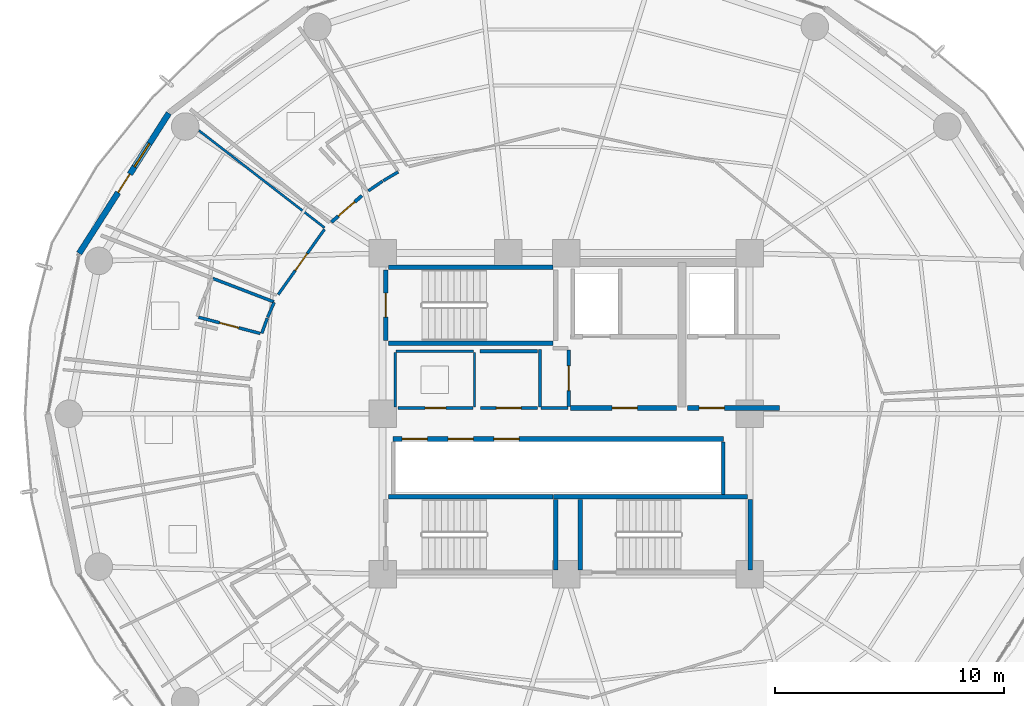
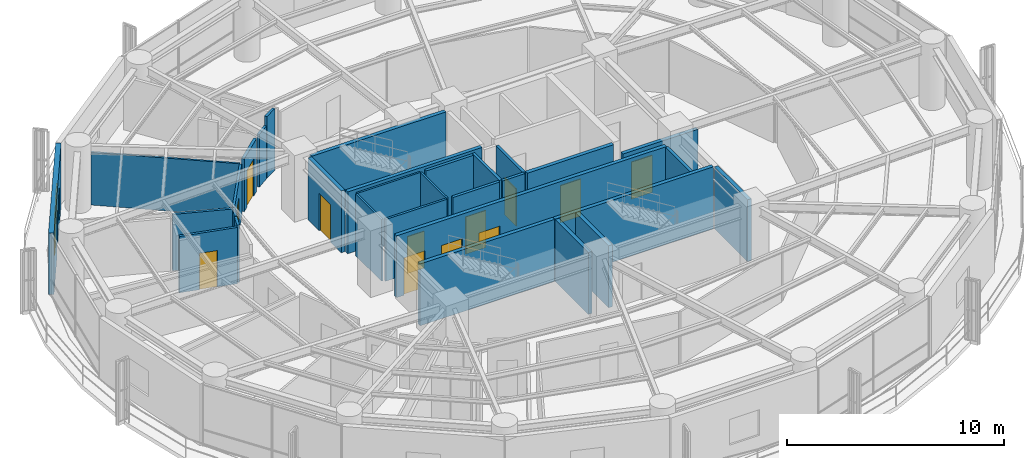
# One storey, part 22 of 28: 31 walls, 13 doors, 1 window, 14 openings.
"""IFC4 building model written with IfcOpenShell, lengths in metres."""

from ifc_helpers import new_model, si_unit, direction, frame, frame_2d, origin, place, context, subcontext, project, spatial, rectangle, extrude, material, layer, layer_set, type_object, element, fill, save


model = new_model("IFC4")

# Units and contexts
model_context = context("Model", 3, precision=1e-05, world=origin(), true_north=direction((0.0, 1.0)))
body_context = subcontext(model_context, "Body", "Model", "MODEL_VIEW")
ifc_project = project(units=[si_unit("LENGTHUNIT", "METRE"), si_unit("AREAUNIT", "SQUARE_METRE"), si_unit("VOLUMEUNIT", "CUBIC_METRE"), si_unit("PLANEANGLEUNIT", "RADIAN"), si_unit("MASSUNIT", "GRAM", prefix="KILO")], contexts=[model_context])

# Site, building, storey
site_placement = place(None, origin())
site = spatial("IfcSite", under=ifc_project, at=site_placement, CompositionType="ELEMENT")
building_placement = place(site_placement, origin())
building = spatial("IfcBuilding", under=site, at=building_placement, Name="Kelanora Arch Commons", CompositionType="ELEMENT")
storey_placement = place(building_placement, frame((0.0, 0.0, 161.85009765625)))
storey = spatial("IfcBuildingStorey", under=building, at=storey_placement, Name="L41", CompositionType="ELEMENT", Elevation=161.85009765625)

# Wall
ifc_material_1 = material(Name="Autoclaved aerated concrete blockwork with fire plaster", Category="masonry")
ifc_layer_1 = layer(ifc_material_1, 0.14990234375)
ifc_layer_set_1 = layer_set([ifc_layer_1], Name="Autoclaved aerated concrete blockwork with fire plaster")
wall_type_1 = type_object("IfcWallType", Name="W-COMP-150", PredefinedType="PARTITIONING", material=ifc_layer_set_1)
wall_1_placement = place(storey_placement, frame((80.840087890625, 54.47998046875, 0.0), z_axis=(0.0, 0.0, 1.0), x_axis=(0.0, 1.0, 0.0)))
element("IfcWall", 1, at=wall_1_placement, inside=storey, type_object=wall_type_1, Name="South Lift Bank East Wall L41", PredefinedType="PARTITIONING", context=body_context, shape_type="SweptSolid", body=[
    extrude(rectangle(XDim=2.2900390625, YDim=0.14990234375, at=frame_2d((1.14501953125, 0.0))), origin(), (0.0, 0.0, 1.0), 3.47998046875),
])

# Wall, opening, door
wall_2_placement = place(storey_placement, frame((74.1201171875, 58.31005859375, 0.0), z_axis=(0.0, 0.0, 1.0), x_axis=(0.0, 1.0, 0.0)))
wall_2 = element("IfcWall", 2, at=wall_2_placement, inside=storey, type_object=wall_type_1, Name="Core Linen Supply Store L41 Entry Partition", PredefinedType="PARTITIONING", context=body_context, shape_type="SweptSolid", body=[
    extrude(rectangle(XDim=2.47998046875, YDim=0.14990234375, at=frame_2d((1.239990234375, 0.0))), origin(), (0.0, 0.0, 1.0), 3.47998046875),
])
opening_1_placement = place(wall_2_placement, frame((0.699951171875, 0.0, 0.0)))
opening_1 = element("IfcOpeningElement", 3, at=opening_1_placement, cuts=wall_2, Name="Opening D-PLT1", PredefinedType="OPENING", context=body_context, shape_type="SweptSolid", body=[
    extrude(rectangle(XDim=1.080078125, YDim=2.10009765625, at=frame_2d((0.5400390625, 1.050048828125))), frame((0.0, 0.0849609375, 0.0), z_axis=(0.0, -1.0, 0.0), x_axis=(1.0, 0.0, 0.0)), (0.0, 0.0, 1.0), 0.169921875),
])
ifc_material_2 = material(Name="Galvanised steel plant and riser fire door", Category="steel")
door_type_1 = type_object("IfcDoorType", Name="D-PLT-110", OperationType="NOTDEFINED", PredefinedType="DOOR", material=ifc_material_2)
door_1_placement = place(opening_1_placement, origin())
door_1 = element("IfcDoor", 4, at=door_1_placement, inside=storey, type_object=door_type_1, Name="Core Linen Supply Store L41 Door", OperationType="SINGLE_SWING_LEFT", OverallHeight=2.10009765625, OverallWidth=1.080078125, PredefinedType="DOOR", context=body_context, shape_type="SweptSolid", body=[
    extrude(rectangle(XDim=1.080078125, YDim=2.10009765625, at=frame_2d((0.5400390625, 1.050048828125))), frame((0.0, 0.02490234375, 0.0), z_axis=(0.0, -1.0, 0.0), x_axis=(1.0, 0.0, 0.0)), (0.0, 0.0, 1.0), 0.050048828125),
])
fill(opening_1, door_1)

wall_3_placement = place(storey_placement, frame((70.260009765625, 58.25, 0.0), z_axis=(0.0, 0.0, 1.0), x_axis=(1.0, 0.0, 0.0)))
wall_3 = element("IfcWall", 5, at=wall_3_placement, inside=storey, type_object=wall_type_1, Name="Reclaimed Core Linen Store L41 Entry Partition", PredefinedType="PARTITIONING", context=body_context, shape_type="SweptSolid", body=[
    extrude(rectangle(XDim=2.47998046875, YDim=0.14990234375, at=frame_2d((1.239990234375, 0.0))), origin(), (0.0, 0.0, 1.0), 3.47998046875),
])
opening_2_placement = place(wall_3_placement, frame((0.699951171875, 0.0, 0.0)))
opening_2 = element("IfcOpeningElement", 6, at=opening_2_placement, cuts=wall_3, Name="Opening D-PLT1", PredefinedType="OPENING", context=body_context, shape_type="SweptSolid", body=[
    extrude(rectangle(XDim=1.080078125, YDim=2.10009765625, at=frame_2d((0.5400390625, 1.050048828125))), frame((0.0, 0.0849609375, 0.0), z_axis=(0.0, -1.0, 0.0), x_axis=(1.0, 0.0, 0.0)), (0.0, 0.0, 1.0), 0.169921875),
])
door_2_placement = place(opening_2_placement, origin())
door_2 = element("IfcDoor", 7, at=door_2_placement, inside=storey, type_object=door_type_1, Name="Reclaimed Core Linen Store L41 Door", OperationType="SINGLE_SWING_LEFT", OverallHeight=2.10009765625, OverallWidth=1.080078125, PredefinedType="DOOR", context=body_context, shape_type="SweptSolid", body=[
    extrude(rectangle(XDim=1.080078125, YDim=2.10009765625, at=frame_2d((0.5400390625, 1.050048828125))), frame((0.0, 0.02490234375, 0.0), z_axis=(0.0, -1.0, 0.0), x_axis=(1.0, 0.0, 0.0)), (0.0, 0.0, 1.0), 0.050048828125),
])
fill(opening_2, door_2)

wall_4_placement = place(storey_placement, frame((65.094482421875, 67.504638671875, 0.0), z_axis=(0.0, 0.0, 1.0), x_axis=(-0.756110527693, -0.654443939472, 0.0)))
wall_4 = element("IfcWall", 8, at=wall_4_placement, inside=storey, type_object=wall_type_1, Name="Cluster Bedroom L41-01 Entry Partition", PredefinedType="PARTITIONING", context=body_context, shape_type="SweptSolid", body=[
    extrude(rectangle(XDim=1.7578125, YDim=0.14990234375, at=frame_2d((0.87890625, 0.0))), origin(), (0.0, 0.0, 1.0), 2.974853515625),
])
opening_3_placement = place(wall_4_placement, frame((0.404052734375, 0.0, 0.0)))
opening_3 = element("IfcOpeningElement", 9, at=opening_3_placement, cuts=wall_4, Name="Opening D-CLU1", PredefinedType="OPENING", context=body_context, shape_type="SweptSolid", body=[
    extrude(rectangle(XDim=0.949951171875, YDim=2.080078125, at=frame_2d((0.47509765625, 1.0400390625))), frame((0.0, 0.0849609375, 0.0), z_axis=(0.0, -1.0, 0.0), x_axis=(1.0, 0.0, 0.0)), (0.0, 0.0, 1.0), 0.169921875),
])
ifc_material_3 = material(Name="Solid-core acoustic timber cluster entry fire door", Category="wood")
door_type_2 = type_object("IfcDoorType", Name="D-CLU-95", OperationType="NOTDEFINED", PredefinedType="DOOR", material=ifc_material_3)
door_3_placement = place(opening_3_placement, origin())
door_3 = element("IfcDoor", 10, at=door_3_placement, inside=storey, type_object=door_type_2, Name="Cluster Bedroom L41-01 Door", OperationType="SINGLE_SWING_LEFT", OverallHeight=2.080078125, OverallWidth=0.949951171875, PredefinedType="DOOR", context=body_context, shape_type="SweptSolid", body=[
    extrude(rectangle(XDim=0.949951171875, YDim=2.080078125, at=frame_2d((0.47509765625, 1.0400390625))), frame((0.0, 0.02490234375, 0.0), z_axis=(0.0, -1.0, 0.0), x_axis=(1.0, 0.0, 0.0)), (0.0, 0.0, 1.0), 0.050048828125),
])
fill(opening_3, door_3)

# Walls
wall_5_placement = place(storey_placement, frame((72.89990234375, 58.25, 0.0), z_axis=(0.0, 0.0, 1.0), x_axis=(1.0, 0.0, 0.0)))
element("IfcWall", 11, at=wall_5_placement, inside=storey, type_object=wall_type_1, Name="Core Linen Supply Store L41 Enclosure Partition 1", PredefinedType="PARTITIONING", context=body_context, shape_type="SweptSolid", body=[
    extrude(rectangle(XDim=1.18017578125, YDim=0.14990234375, at=frame_2d((0.590087890625, 0.0))), origin(), (0.0, 0.0, 1.0), 3.47998046875),
])
for number, where, z_axis, x_axis, name in (
    (12, (72.860107421875, 60.81005859375, 0.0), (0.0, 0.0, 1.0), (0.0, -1.0, 0.0), "Core Linen Supply Store L41 Enclosure Partition 4"),
    (13, (72.760009765625, 60.719970703125, 0.0), (0.0, 0.0, 1.0), (-1.0, 0.0, 0.0), "Reclaimed Core Linen Store L41 Enclosure Partition 3"),
):
    element("IfcWall", number, at=place(storey_placement, frame(where, z_axis=z_axis, x_axis=x_axis)), inside=storey, type_object=wall_type_1, Name=name, PredefinedType="PARTITIONING", context=body_context, shape_type="SweptSolid", body=[
        extrude(rectangle(XDim=2.52001953125, YDim=0.14990234375, at=frame_2d((1.260009765625, 0.0))), origin(), (0.0, 0.0, 1.0), 3.47998046875),
    ])

# Wall, openings, door, window
ifc_material_4 = material(Name="Precast concrete C40/50 with terracotta rainscreen", Category="masonry")
ifc_layer_2 = layer(ifc_material_4, 0.260009765625)
ifc_layer_set_2 = layer_set([ifc_layer_2], Name="Precast concrete C40/50 with terracotta rainscreen")
wall_type_2 = type_object("IfcWallType", Name="W-EXT-TC", PredefinedType="SOLIDWALL", material=ifc_layer_set_2)
wall_6_placement = place(storey_placement, frame((56.67919921875, 71.100341796875, 0.0), z_axis=(0.0, 0.0, 1.0), x_axis=(-0.538801521808, -0.842432739213, 0.0)))
wall_6 = element("IfcWall", 14, at=wall_6_placement, inside=storey, type_object=wall_type_2, Name="Terracotta Exterior Wall L41-B07", PredefinedType="SOLIDWALL", context=body_context, shape_type="SweptSolid", body=[
    extrude(rectangle(XDim=7.25341796875, YDim=0.260009765625, at=frame_2d((3.626708984375, 0.0))), origin(), (0.0, 0.0, 1.0), 3.474853515625),
])
opening_4_placement = place(wall_6_placement, frame((3.152099609375, 0.0, 0.0)))
opening_4 = element("IfcOpeningElement", 15, at=opening_4_placement, cuts=wall_6, Name="Opening DB-01", PredefinedType="OPENING", context=body_context, shape_type="SweptSolid", body=[
    extrude(rectangle(XDim=0.949951171875, YDim=2.10009765625, at=frame_2d((0.47509765625, 1.050048828125))), frame((0.0, 0.14013671875, 0.0), z_axis=(0.0, -1.0, 0.0), x_axis=(1.0, 0.0, 0.0)), (0.0, 0.0, 1.0), 0.280029296875),
])
opening_5_placement = place(wall_6_placement, frame((1.572021484375, 0.0, 0.85009765625)))
opening_5 = element("IfcOpeningElement", 16, at=opening_5_placement, cuts=wall_6, Name="Opening WN-02", PredefinedType="OPENING", context=body_context, shape_type="SweptSolid", body=[
    extrude(rectangle(XDim=1.199951171875, YDim=1.449951171875, at=frame_2d((0.60009765625, 0.72509765625))), frame((0.0, 0.14013671875, 0.0), z_axis=(0.0, -1.0, 0.0), x_axis=(1.0, 0.0, 0.0)), (0.0, 0.0, 1.0), 0.280029296875),
])
ifc_material_5 = material(Name="Terracotta-aluminium thermally broken glazed balcony door", Category="masonry")
door_type_3 = type_object("IfcDoorType", Name="D-BAL-10", OperationType="NOTDEFINED", PredefinedType="DOOR", material=ifc_material_5)
door_4_placement = place(opening_4_placement, frame((0.949951171875, 0.0, 0.0), z_axis=(0.0, 0.0, 1.0), x_axis=(-1.0, 0.0, 0.0)))
door_4 = element("IfcDoor", 17, at=door_4_placement, inside=storey, type_object=door_type_3, Name="Wave Balcony Door L41-B07", OperationType="SINGLE_SWING_LEFT", OverallHeight=2.10009765625, OverallWidth=0.949951171875, PredefinedType="DOOR", context=body_context, shape_type="SweptSolid", body=[
    extrude(rectangle(XDim=0.949951171875, YDim=2.10009765625, at=frame_2d((0.47509765625, 1.050048828125))), frame((0.0, 0.02490234375, 0.0), z_axis=(0.0, -1.0, 0.0), x_axis=(1.0, 0.0, 0.0)), (0.0, 0.0, 1.0), 0.050048828125),
])
fill(opening_4, door_4)
ifc_material_6 = material(Name="Terracotta-anodised aluminium frame with operable awning sash", Category="masonry")
window_type = type_object("IfcWindowType", Name="WIN-CL-12", PartitioningType="SINGLE_PANEL", PredefinedType="WINDOW", material=ifc_material_6)
window_placement = place(opening_5_placement, origin())
window = element("IfcWindow", 18, at=window_placement, inside=storey, type_object=window_type, Name="Co-Living Operable Window L41-B07", OverallHeight=1.449951171875, OverallWidth=1.199951171875, PartitioningType="SINGLE_PANEL", PredefinedType="WINDOW", context=body_context, shape_type="SweptSolid", body=[
    extrude(rectangle(XDim=1.199951171875, YDim=1.449951171875, at=frame_2d((0.60009765625, 0.72509765625))), frame((0.0, 0.030029296875, 0.0), z_axis=(0.0, -1.0, 0.0), x_axis=(1.0, 0.0, 0.0)), (0.0, 0.0, 1.0), 0.06005859375),
])
fill(opening_5, window)

# Wall, opening, door
ifc_material_7 = material(Name="Concrete C40/50", Category="concrete")
ifc_layer_3 = layer(ifc_material_7, 0.199951171875)
ifc_layer_set_3 = layer_set([ifc_layer_3], Name="Concrete C40/50")
wall_type_3 = type_object("IfcWallType", Name="W-FFL-200", PredefinedType="SOLIDWALL", material=ifc_layer_set_3)
wall_7_placement = place(storey_placement, frame((74.199951171875, 58.25, 0.0), z_axis=(0.0, 0.0, 1.0), x_axis=(1.0, 0.0, 0.0)))
wall_7 = element("IfcWall", 19, at=wall_7_placement, inside=storey, type_object=wall_type_3, Name="Firefighting Lobby 1 Enclosure Wall L41", PredefinedType="SOLIDWALL", context=body_context, shape_type="SweptSolid", body=[
    extrude(rectangle(XDim=4.60009765625, YDim=0.199951171875, at=frame_2d((2.300048828125, 0.0))), origin(), (0.0, 0.0, 1.0), 3.47998046875),
])
opening_6_placement = place(wall_7_placement, frame((1.800048828125, 0.0, 0.0)))
opening_6 = element("IfcOpeningElement", 20, at=opening_6_placement, cuts=wall_7, Name="Opening D-FFL1", PredefinedType="OPENING", context=body_context, shape_type="SweptSolid", body=[
    extrude(rectangle(XDim=1.10009765625, YDim=2.10009765625, at=frame_2d((0.550048828125, 1.050048828125))), frame((0.0, 0.10986328125, 0.0), z_axis=(0.0, -1.0, 0.0), x_axis=(1.0, 0.0, 0.0)), (0.0, 0.0, 1.0), 0.219970703125),
])
ifc_material_8 = material(Name="Smoke-sealed firefighting lobby fire door")
door_type_4 = type_object("IfcDoorType", Name="D-FFL-110", OperationType="NOTDEFINED", PredefinedType="DOOR", material=ifc_material_8)
door_5_placement = place(opening_6_placement, frame((1.10009765625, 0.0, 0.0), z_axis=(0.0, 0.0, 1.0), x_axis=(-1.0, 0.0, 0.0)))
door_5 = element("IfcDoor", 21, at=door_5_placement, inside=storey, type_object=door_type_4, Name="Firefighting Lobby 1 Door L41", OperationType="SINGLE_SWING_LEFT", OverallHeight=2.10009765625, OverallWidth=1.10009765625, PredefinedType="DOOR", context=body_context, shape_type="SweptSolid", body=[
    extrude(rectangle(XDim=1.10009765625, YDim=2.10009765625, at=frame_2d((0.550048828125, 1.050048828125))), frame((0.0, 0.02490234375, 0.0), z_axis=(0.0, -1.0, 0.0), x_axis=(1.0, 0.0, 0.0)), (0.0, 0.0, 1.0), 0.050048828125),
])
fill(opening_6, door_5)

wall_8_placement = place(storey_placement, frame((79.300048828125, 58.25, 0.0), z_axis=(0.0, 0.0, 1.0), x_axis=(1.0, 0.0, 0.0)))
wall_8 = element("IfcWall", 22, at=wall_8_placement, inside=storey, type_object=wall_type_3, Name="Firefighting Lobby 2 Enclosure Wall L41", PredefinedType="SOLIDWALL", context=body_context, shape_type="SweptSolid", body=[
    extrude(rectangle(XDim=4.0, YDim=0.199951171875, at=frame_2d((2.0, 0.0))), origin(), (0.0, 0.0, 1.0), 2.77490234375),
])
opening_7_placement = place(wall_8_placement, frame((0.5, 0.0, 0.0)))
opening_7 = element("IfcOpeningElement", 23, at=opening_7_placement, cuts=wall_8, Name="Opening D-FFL1", PredefinedType="OPENING", context=body_context, shape_type="SweptSolid", body=[
    extrude(rectangle(XDim=1.10009765625, YDim=2.10009765625, at=frame_2d((0.550048828125, 1.050048828125))), frame((0.0, 0.10986328125, 0.0), z_axis=(0.0, -1.0, 0.0), x_axis=(1.0, 0.0, 0.0)), (0.0, 0.0, 1.0), 0.219970703125),
])
door_6_placement = place(opening_7_placement, frame((1.10009765625, 0.0, 0.0), z_axis=(0.0, 0.0, 1.0), x_axis=(-1.0, 0.0, 0.0)))
door_6 = element("IfcDoor", 24, at=door_6_placement, inside=storey, type_object=door_type_4, Name="Firefighting Lobby 2 Door L41", OperationType="SINGLE_SWING_RIGHT", OverallHeight=2.10009765625, OverallWidth=1.10009765625, PredefinedType="DOOR", context=body_context, shape_type="SweptSolid", body=[
    extrude(rectangle(XDim=1.10009765625, YDim=2.10009765625, at=frame_2d((0.550048828125, 1.050048828125))), frame((0.0, 0.02490234375, 0.0), z_axis=(0.0, -1.0, 0.0), x_axis=(1.0, 0.0, 0.0)), (0.0, 0.0, 1.0), 0.050048828125),
])
fill(opening_7, door_6)

# Wall, openings, doors
wall_9_placement = place(storey_placement, frame((66.449951171875, 56.89990234375, 0.0), z_axis=(0.0, 0.0, 1.0), x_axis=(1.0, 0.0, 0.0)))
wall_9 = element("IfcWall", 25, at=wall_9_placement, inside=storey, type_object=wall_type_3, Name="Mid/High/Express Lift Shaft Front L41", PredefinedType="SOLIDWALL", context=body_context, shape_type="SweptSolid", body=[
    extrude(rectangle(XDim=14.400146484375, YDim=0.199951171875, at=frame_2d((7.2001953125, 0.0))), origin(), (0.0, 0.0, 1.0), 3.47998046875),
])
opening_8_placement = place(wall_9_placement, frame((0.39990234375, 0.0, 0.0)))
opening_8 = element("IfcOpeningElement", 26, at=opening_8_placement, cuts=wall_9, Name="Opening LD-01", PredefinedType="OPENING", context=body_context, shape_type="SweptSolid", body=[
    extrude(rectangle(XDim=1.10009765625, YDim=2.10009765625, at=frame_2d((0.550048828125, 1.050048828125))), frame((0.0, 0.10986328125, 0.0), z_axis=(0.0, -1.0, 0.0), x_axis=(1.0, 0.0, 0.0)), (0.0, 0.0, 1.0), 0.219970703125),
])
opening_9_placement = place(wall_9_placement, frame((2.39990234375, 0.0, 0.0)))
opening_9 = element("IfcOpeningElement", 27, at=opening_9_placement, cuts=wall_9, Name="Opening LD-01", PredefinedType="OPENING", context=body_context, shape_type="SweptSolid", body=[
    extrude(rectangle(XDim=1.10009765625, YDim=2.10009765625, at=frame_2d((0.550048828125, 1.050048828125))), frame((0.0, 0.10986328125, 0.0), z_axis=(0.0, -1.0, 0.0), x_axis=(1.0, 0.0, 0.0)), (0.0, 0.0, 1.0), 0.219970703125),
])
opening_10_placement = place(wall_9_placement, frame((4.39990234375, 0.0, 0.0)))
opening_10 = element("IfcOpeningElement", 28, at=opening_10_placement, cuts=wall_9, Name="Opening LD-01", PredefinedType="OPENING", context=body_context, shape_type="SweptSolid", body=[
    extrude(rectangle(XDim=1.10009765625, YDim=2.10009765625, at=frame_2d((0.550048828125, 1.050048828125))), frame((0.0, 0.10986328125, 0.0), z_axis=(0.0, -1.0, 0.0), x_axis=(1.0, 0.0, 0.0)), (0.0, 0.0, 1.0), 0.219970703125),
])
ifc_material_9 = material(Name="Stainless steel passenger lift sliding landing door", Category="steel")
door_type_5 = type_object("IfcDoorType", Name="D-LIFT-110", OperationType="NOTDEFINED", PredefinedType="DOOR", material=ifc_material_9)
door_7_placement = place(opening_8_placement, origin())
door_7 = element("IfcDoor", 29, at=door_7_placement, inside=storey, type_object=door_type_5, Name="Passenger Lift LF-P4 Landing Door L41", OperationType="DOUBLE_DOOR_SLIDING", OverallHeight=2.10009765625, OverallWidth=1.10009765625, PredefinedType="DOOR", context=body_context, shape_type="SweptSolid", body=[
    extrude(rectangle(XDim=1.10009765625, YDim=2.10009765625, at=frame_2d((0.550048828125, 1.050048828125))), frame((0.0, 0.02490234375, 0.0), z_axis=(0.0, -1.0, 0.0), x_axis=(1.0, 0.0, 0.0)), (0.0, 0.0, 1.0), 0.050048828125),
])
fill(opening_8, door_7)
door_8_placement = place(opening_9_placement, origin())
door_8 = element("IfcDoor", 30, at=door_8_placement, inside=storey, type_object=door_type_5, Name="Passenger Lift LF-P5 Landing Door L41", OperationType="DOUBLE_DOOR_SLIDING", OverallHeight=2.10009765625, OverallWidth=1.10009765625, PredefinedType="DOOR", context=body_context, shape_type="SweptSolid", body=[
    extrude(rectangle(XDim=1.10009765625, YDim=2.10009765625, at=frame_2d((0.550048828125, 1.050048828125))), frame((0.0, 0.02490234375, 0.0), z_axis=(0.0, -1.0, 0.0), x_axis=(1.0, 0.0, 0.0)), (0.0, 0.0, 1.0), 0.050048828125),
])
fill(opening_9, door_8)
door_9_placement = place(opening_10_placement, origin())
door_9 = element("IfcDoor", 31, at=door_9_placement, inside=storey, type_object=door_type_5, Name="Passenger Lift LF-P6 Landing Door L41", OperationType="DOUBLE_DOOR_SLIDING", OverallHeight=2.10009765625, OverallWidth=1.10009765625, PredefinedType="DOOR", context=body_context, shape_type="SweptSolid", body=[
    extrude(rectangle(XDim=1.10009765625, YDim=2.10009765625, at=frame_2d((0.550048828125, 1.050048828125))), frame((0.0, 0.02490234375, 0.0), z_axis=(0.0, -1.0, 0.0), x_axis=(1.0, 0.0, 0.0)), (0.0, 0.0, 1.0), 0.050048828125),
])
fill(opening_10, door_9)

# Walls
ifc_material_10 = material(Name="Lightweight fire-rated acoustic stud partition")
ifc_layer_4 = layer(ifc_material_10, 0.10009765625)
ifc_layer_set_4 = layer_set([ifc_layer_4], Name="Lightweight fire-rated acoustic stud partition")
wall_type_4 = type_object("IfcWallType", Name="W-PART-100", PredefinedType="PARTITIONING", material=ifc_layer_set_4)
wall_10_placement = place(storey_placement, frame((70.0, 58.2900390625, 0.0), z_axis=(0.0, 0.0, 1.0), x_axis=(0.0, 1.0, 0.0)))
element("IfcWall", 32, at=wall_10_placement, inside=storey, type_object=wall_type_4, Name="Reclaimed Core Quiet Phone Booths L41 Enclosure Partition 2", PredefinedType="PARTITIONING", context=body_context, shape_type="SweptSolid", body=[
    extrude(rectangle(XDim=2.389892578125, YDim=0.10009765625, at=frame_2d((1.19482421875, 0.0))), origin(), (0.0, 0.0, 1.0), 3.47998046875),
])
wall_11_placement = place(storey_placement, frame((69.9599609375, 60.719970703125, 0.0), z_axis=(0.0, 0.0, 1.0), x_axis=(-1.0, 0.0, 0.0)))
element("IfcWall", 33, at=wall_11_placement, inside=storey, type_object=wall_type_4, Name="Reclaimed Core Quiet Phone Booths L41 Enclosure Partition 3", PredefinedType="PARTITIONING", context=body_context, shape_type="SweptSolid", body=[
    extrude(rectangle(XDim=3.369873046875, YDim=0.10009765625, at=frame_2d((1.68505859375, 0.0))), origin(), (0.0, 0.0, 1.0), 3.47998046875),
])
wall_12_placement = place(storey_placement, frame((66.550048828125, 60.679931640625, 0.0), z_axis=(0.0, 0.0, 1.0), x_axis=(0.0, -1.0, 0.0)))
element("IfcWall", 34, at=wall_12_placement, inside=storey, type_object=wall_type_4, Name="Reclaimed Core Quiet Phone Booths L41 Enclosure Partition 4", PredefinedType="PARTITIONING", context=body_context, shape_type="SweptSolid", body=[
    extrude(rectangle(XDim=2.383056640625, YDim=0.10009765625, at=frame_2d((1.19140625, 0.0))), origin(), (0.0, 0.0, 1.0), 3.47998046875),
])
wall_13_placement = place(storey_placement, frame((57.991943359375, 70.345947265625, 0.0), z_axis=(0.0, 0.0, 1.0), x_axis=(0.790939607083, -0.611894221207, 0.0)))
element("IfcWall", 35, at=wall_13_placement, inside=storey, type_object=wall_type_4, Name="Shared Cluster Kitchen L41-02 Enclosure Partition 4", PredefinedType="PARTITIONING", context=body_context, shape_type="SweptSolid", body=[
    extrude(rectangle(XDim=6.920166015625, YDim=0.10009765625, at=frame_2d((3.4599609375, 0.0))), origin(), (0.0, 0.0, 1.0), 2.974853515625),
])

# Wall, opening, door
ifc_material_11 = material(Name="Acoustic twin-stud fire-rated gypsum partition")
ifc_layer_5 = layer(ifc_material_11, 0.1201171875)
ifc_layer_set_5 = layer_set([ifc_layer_5], Name="Acoustic twin-stud fire-rated gypsum partition")
wall_type_5 = type_object("IfcWallType", Name="W-PART-120", PredefinedType="PARTITIONING", material=ifc_layer_set_5)
wall_14_placement = place(storey_placement, frame((66.67529296875, 58.25, 0.0), z_axis=(0.0, 0.0, 1.0), x_axis=(1.0, 0.0, 0.0)))
wall_14 = element("IfcWall", 36, at=wall_14_placement, inside=storey, type_object=wall_type_5, Name="Reclaimed Core Quiet Phone Booths L41 Entry Partition", PredefinedType="PARTITIONING", context=body_context, shape_type="SweptSolid", body=[
    extrude(rectangle(XDim=3.2646484375, YDim=0.1201171875, at=frame_2d((1.63232421875, 0.0))), origin(), (0.0, 0.0, 1.0), 3.47998046875),
])
opening_11_placement = place(wall_14_placement, frame((1.181884765625, 0.0, 0.0)))
opening_11 = element("IfcOpeningElement", 37, at=opening_11_placement, cuts=wall_14, Name="Opening D-RM1", PredefinedType="OPENING", context=body_context, shape_type="SweptSolid", body=[
    extrude(rectangle(XDim=0.89990234375, YDim=2.080078125, at=frame_2d((0.449951171875, 1.0400390625))), frame((0.0, 0.070068359375, 0.0), z_axis=(0.0, -1.0, 0.0), x_axis=(1.0, 0.0, 0.0)), (0.0, 0.0, 1.0), 0.14013671875),
])
ifc_material_12 = material(Name="Acoustic fire-rated timber study and lounge door", Category="wood")
door_type_6 = type_object("IfcDoorType", Name="D-ROOM-90", OperationType="NOTDEFINED", PredefinedType="DOOR", material=ifc_material_12)
door_10_placement = place(opening_11_placement, origin())
door_10 = element("IfcDoor", 38, at=door_10_placement, inside=storey, type_object=door_type_6, Name="Reclaimed Core Quiet Phone Booths L41 Door", OperationType="SINGLE_SWING_RIGHT", OverallHeight=2.080078125, OverallWidth=0.89990234375, PredefinedType="DOOR", context=body_context, shape_type="SweptSolid", body=[
    extrude(rectangle(XDim=0.89990234375, YDim=2.080078125, at=frame_2d((0.449951171875, 1.0400390625))), frame((0.0, 0.02490234375, 0.0), z_axis=(0.0, -1.0, 0.0), x_axis=(1.0, 0.0, 0.0)), (0.0, 0.0, 1.0), 0.050048828125),
])
fill(opening_11, door_10)

wall_15_placement = place(storey_placement, frame((63.46240234375, 66.0380859375, 0.0), z_axis=(0.0, 0.0, 1.0), x_axis=(-0.578762045024, -0.815496471629, 0.0)))
wall_15 = element("IfcWall", 39, at=wall_15_placement, inside=storey, type_object=wall_type_5, Name="Shared Cluster Kitchen L41-02 Entry Partition", PredefinedType="PARTITIONING", context=body_context, shape_type="SweptSolid", body=[
    extrude(rectangle(XDim=3.482666015625, YDim=0.1201171875, at=frame_2d((1.7412109375, 0.0))), origin(), (0.0, 0.0, 1.0), 2.974853515625),
])
opening_12_placement = place(wall_15_placement, frame((1.291015625, 0.0, 0.0)))
opening_12 = element("IfcOpeningElement", 40, at=opening_12_placement, cuts=wall_15, Name="Opening D-RM1", PredefinedType="OPENING", context=body_context, shape_type="SweptSolid", body=[
    extrude(rectangle(XDim=0.89990234375, YDim=2.080078125, at=frame_2d((0.449951171875, 1.0400390625))), frame((0.0, 0.070068359375, 0.0), z_axis=(0.0, -1.0, 0.0), x_axis=(1.0, 0.0, 0.0)), (0.0, 0.0, 1.0), 0.14013671875),
])
door_11_placement = place(opening_12_placement, origin())
door_11 = element("IfcDoor", 41, at=door_11_placement, inside=storey, type_object=door_type_6, Name="Shared Cluster Kitchen L41-02 Door", OperationType="SINGLE_SWING_RIGHT", OverallHeight=2.080078125, OverallWidth=0.89990234375, PredefinedType="DOOR", context=body_context, shape_type="SweptSolid", body=[
    extrude(rectangle(XDim=0.89990234375, YDim=2.080078125, at=frame_2d((0.449951171875, 1.0400390625))), frame((0.0, 0.02490234375, 0.0), z_axis=(0.0, -1.0, 0.0), x_axis=(1.0, 0.0, 0.0)), (0.0, 0.0, 1.0), 0.050048828125),
])
fill(opening_12, door_11)

# Walls
ifc_layer_6 = layer(ifc_material_7, 0.199951171875)
ifc_layer_set_6 = layer_set([ifc_layer_6], Name="Concrete C40/50")
wall_type_6 = type_object("IfcWallType", Name="W-STAIR-200", PredefinedType="SHEAR", material=ifc_layer_set_6)
for number, where, z_axis, x_axis, name in (
    (42, (66.260009765625, 61.080078125, 0.0), (0.0, 0.0, 1.0), (1.0, 0.0, 0.0), "Stair ST-T1 Shaft Wall S L41"),
    (43, (73.419921875, 64.389892578125, 0.0), (0.0, 0.0, 1.0), (-1.0, 0.0, 0.0), "Stair ST-T1 Shaft Wall N L41"),
):
    element("IfcWall", number, at=place(storey_placement, frame(where, z_axis=z_axis, x_axis=x_axis)), inside=storey, type_object=wall_type_6, Name=name, PredefinedType="SHEAR", context=body_context, shape_type="SweptSolid", body=[
        extrude(rectangle(XDim=7.159912109375, YDim=0.199951171875, at=frame_2d((3.580078125, 0.0))), origin(), (0.0, 0.0, 1.0), 3.489990234375),
    ])

# Wall, opening, door
wall_16_placement = place(storey_placement, frame((66.139892578125, 64.27001953125, 0.0), z_axis=(0.0, 0.0, 1.0), x_axis=(0.0, -1.0, 0.0)))
wall_16 = element("IfcWall", 44, at=wall_16_placement, inside=storey, type_object=wall_type_6, Name="Stair ST-T1 Shaft Wall W L41", PredefinedType="SHEAR", context=body_context, shape_type="SweptSolid", body=[
    extrude(rectangle(XDim=3.070068359375, YDim=0.199951171875, at=frame_2d((1.53515625, 0.0))), origin(), (0.0, 0.0, 1.0), 3.489990234375),
])
opening_13_placement = place(wall_16_placement, frame((1.010009765625, 0.0, 0.0)))
opening_13 = element("IfcOpeningElement", 45, at=opening_13_placement, cuts=wall_16, Name="Opening D-ST1", PredefinedType="OPENING", context=body_context, shape_type="SweptSolid", body=[
    extrude(rectangle(XDim=1.050048828125, YDim=2.10009765625, at=frame_2d((0.52490234375, 1.050048828125))), frame((0.0, 0.10986328125, 0.0), z_axis=(0.0, -1.0, 0.0), x_axis=(1.0, 0.0, 0.0)), (0.0, 0.0, 1.0), 0.219970703125),
])
ifc_material_13 = material(Name="Steel fire-rated stairwell escape door", Category="steel")
door_type_7 = type_object("IfcDoorType", Name="D-STAIR-110", OperationType="NOTDEFINED", PredefinedType="DOOR", material=ifc_material_13)
door_12_placement = place(opening_13_placement, origin())
door_12 = element("IfcDoor", 46, at=door_12_placement, inside=storey, type_object=door_type_7, Name="Stair ST-T1 Escape Door L41", OperationType="SINGLE_SWING_LEFT", OverallHeight=2.10009765625, OverallWidth=1.050048828125, PredefinedType="DOOR", context=body_context, shape_type="SweptSolid", body=[
    extrude(rectangle(XDim=1.050048828125, YDim=2.10009765625, at=frame_2d((0.52490234375, 1.050048828125))), frame((0.0, 0.02490234375, 0.0), z_axis=(0.0, -1.0, 0.0), x_axis=(1.0, 0.0, 0.0)), (0.0, 0.0, 1.0), 0.050048828125),
])
fill(opening_13, door_12)

# Walls
wall_17_placement = place(storey_placement, frame((82.02001953125, 51.199951171875, 0.0), z_axis=(0.0, 0.0, 1.0), x_axis=(0.0, 1.0, 0.0)))
element("IfcWall", 47, at=wall_17_placement, inside=storey, type_object=wall_type_6, Name="Stair ST-T2 Shaft Wall E L41", PredefinedType="SHEAR", context=body_context, shape_type="SweptSolid", body=[
    extrude(rectangle(XDim=3.070068359375, YDim=0.199951171875, at=frame_2d((1.53515625, 0.0))), origin(), (0.0, 0.0, 1.0), 3.489990234375),
])
wall_18_placement = place(storey_placement, frame((81.89990234375, 54.389892578125, 0.0), z_axis=(0.0, 0.0, 1.0), x_axis=(-1.0, 0.0, 0.0)))
element("IfcWall", 48, at=wall_18_placement, inside=storey, type_object=wall_type_6, Name="Stair ST-T2 Shaft Wall N L41", PredefinedType="SHEAR", context=body_context, shape_type="SweptSolid", body=[
    extrude(rectangle(XDim=8.4599609375, YDim=0.199951171875, at=frame_2d((4.22998046875, 0.0))), origin(), (0.0, 0.0, 1.0), 3.489990234375),
])
for number, where, z_axis, x_axis, name in (
    (49, (74.6201171875, 54.27001953125, 0.0), (0.0, 0.0, 1.0), (0.0, -1.0, 0.0), "Stair ST-T2 Shaft Wall W L41"),
    (50, (73.5400390625, 51.199951171875, 0.0), (0.0, 0.0, 1.0), (0.0, 1.0, 0.0), "Stair ST-T3 Shaft Wall E L41"),
):
    element("IfcWall", number, at=place(storey_placement, frame(where, z_axis=z_axis, x_axis=x_axis)), inside=storey, type_object=wall_type_6, Name=name, PredefinedType="SHEAR", context=body_context, shape_type="SweptSolid", body=[
        extrude(rectangle(XDim=3.070068359375, YDim=0.199951171875, at=frame_2d((1.53515625, 0.0))), origin(), (0.0, 0.0, 1.0), 3.489990234375),
    ])
wall_19_placement = place(storey_placement, frame((73.419921875, 54.389892578125, 0.0), z_axis=(0.0, 0.0, 1.0), x_axis=(-1.0, 0.0, 0.0)))
element("IfcWall", 51, at=wall_19_placement, inside=storey, type_object=wall_type_6, Name="Stair ST-T3 Shaft Wall N L41", PredefinedType="SHEAR", context=body_context, shape_type="SweptSolid", body=[
    extrude(rectangle(XDim=7.159912109375, YDim=0.199951171875, at=frame_2d((3.580078125, 0.0))), origin(), (0.0, 0.0, 1.0), 3.489990234375),
])

# Wall, opening, door
ifc_material_14 = material(Name="Moisture-resistant fire-rated cement-board plumbing wall")
ifc_layer_7 = layer(ifc_material_14, 0.1298828125)
ifc_layer_set_7 = layer_set([ifc_layer_7], Name="Moisture-resistant fire-rated cement-board plumbing wall")
wall_type_7 = type_object("IfcWallType", Name="W-WET-120", PredefinedType="PLUMBINGWALL", material=ifc_layer_set_7)
wall_20_placement = place(storey_placement, frame((60.6669921875, 61.500244140625, 0.0), z_axis=(0.0, 0.0, 1.0), x_axis=(-0.967098346806, 0.254402805813, 0.0)))
wall_20 = element("IfcWall", 52, at=wall_20_placement, inside=storey, type_object=wall_type_7, Name="En-Suite Shower WC L41-03 Entry Partition", PredefinedType="PLUMBINGWALL", context=body_context, shape_type="SweptSolid", body=[
    extrude(rectangle(XDim=2.788818359375, YDim=0.1298828125, at=frame_2d((1.39453125, 0.0))), origin(), (0.0, 0.0, 1.0), 3.1748046875),
])
opening_14_placement = place(wall_20_placement, frame((0.964111328125, 0.0, 0.0)))
opening_14 = element("IfcOpeningElement", 53, at=opening_14_placement, cuts=wall_20, Name="Opening D-BT1", PredefinedType="OPENING", context=body_context, shape_type="SweptSolid", body=[
    extrude(rectangle(XDim=0.860107421875, YDim=2.050048828125, at=frame_2d((0.43017578125, 1.02490234375))), frame((0.0, 0.074951171875, 0.0), z_axis=(0.0, -1.0, 0.0), x_axis=(1.0, 0.0, 0.0)), (0.0, 0.0, 1.0), 0.14990234375),
])
ifc_material_15 = material(Name="Moisture-sealed fire-rated accessible bathroom door")
door_type_8 = type_object("IfcDoorType", Name="D-BATH-85", OperationType="NOTDEFINED", PredefinedType="DOOR", material=ifc_material_15)
door_13_placement = place(opening_14_placement, origin())
door_13 = element("IfcDoor", 54, at=door_13_placement, inside=storey, type_object=door_type_8, Name="En-Suite Shower WC L41-03 Door", OperationType="SINGLE_SWING_LEFT", OverallHeight=2.050048828125, OverallWidth=0.860107421875, PredefinedType="DOOR", context=body_context, shape_type="SweptSolid", body=[
    extrude(rectangle(XDim=0.860107421875, YDim=2.050048828125, at=frame_2d((0.43017578125, 1.02490234375))), frame((0.0, 0.02490234375, 0.0), z_axis=(0.0, -1.0, 0.0), x_axis=(1.0, 0.0, 0.0)), (0.0, 0.0, 1.0), 0.050048828125),
])
fill(opening_14, door_13)

# Walls
wall_21_placement = place(storey_placement, frame((66.6748046875, 68.542724609375, 0.0), z_axis=(0.0, 0.0, 1.0), x_axis=(-0.85851758599, -0.5127841208, 0.0)))
element("IfcWall", 55, at=wall_21_placement, inside=storey, type_object=wall_type_7, Name="En-Suite Shower WC L41-01 Enclosure Partition 1", PredefinedType="PLUMBINGWALL", context=body_context, shape_type="SweptSolid", body=[
    extrude(rectangle(XDim=0.755615234375, YDim=0.1298828125, at=frame_2d((0.3779296875, 0.0))), origin(), (0.0, 0.0, 1.0), 3.47998046875),
])
wall_22_placement = place(storey_placement, frame((65.992431640625, 68.1337890625, 0.0), z_axis=(0.0, 0.0, 1.0), x_axis=(-0.82786992474, -0.560920125964, 0.0)))
element("IfcWall", 56, at=wall_22_placement, inside=storey, type_object=wall_type_7, Name="En-Suite Shower WC L41-01 Enclosure Partition 2", PredefinedType="PLUMBINGWALL", context=body_context, shape_type="SweptSolid", body=[
    extrude(rectangle(XDim=0.75, YDim=0.1298828125, at=frame_2d((0.375, 0.0))), origin(), (0.0, 0.0, 1.0), 2.974853515625),
])
wall_23_placement = place(storey_placement, frame((61.26806640625, 62.852783203125, 0.0), z_axis=(0.0, 0.0, 1.0), x_axis=(-0.398284741881, -0.917261829787, 0.0)))
element("IfcWall", 57, at=wall_23_placement, inside=storey, type_object=wall_type_7, Name="En-Suite Shower WC L41-03 Enclosure Partition 1", PredefinedType="PLUMBINGWALL", context=body_context, shape_type="SweptSolid", body=[
    extrude(rectangle(XDim=0.7080078125, YDim=0.1298828125, at=frame_2d((0.35400390625, 0.0))), origin(), (0.0, 0.0, 1.0), 3.23486328125),
])
wall_24_placement = place(storey_placement, frame((60.97119140625, 62.166259765625, 0.0), z_axis=(0.0, 0.0, 1.0), x_axis=(-0.340044773791, -0.940409246987, 0.0)))
element("IfcWall", 58, at=wall_24_placement, inside=storey, type_object=wall_type_7, Name="En-Suite Shower WC L41-03 Enclosure Partition 2", PredefinedType="PLUMBINGWALL", context=body_context, shape_type="SweptSolid", body=[
    extrude(rectangle(XDim=0.704345703125, YDim=0.1298828125, at=frame_2d((0.35205078125, 0.0))), origin(), (0.0, 0.0, 1.0), 3.23486328125),
])
wall_25_placement = place(storey_placement, frame((58.599609375, 63.898681640625, 0.0), z_axis=(0.0, 0.0, 1.0), x_axis=(0.933544382438, -0.358461833418, 0.0)))
element("IfcWall", 59, at=wall_25_placement, inside=storey, type_object=wall_type_7, Name="En-Suite Shower WC L41-03 Enclosure Partition 6", PredefinedType="PLUMBINGWALL", context=body_context, shape_type="SweptSolid", body=[
    extrude(rectangle(XDim=2.846923828125, YDim=0.1298828125, at=frame_2d((1.42333984375, 0.0))), origin(), (0.0, 0.0, 1.0), 3.1748046875),
])

save(model, "model.ifc")
